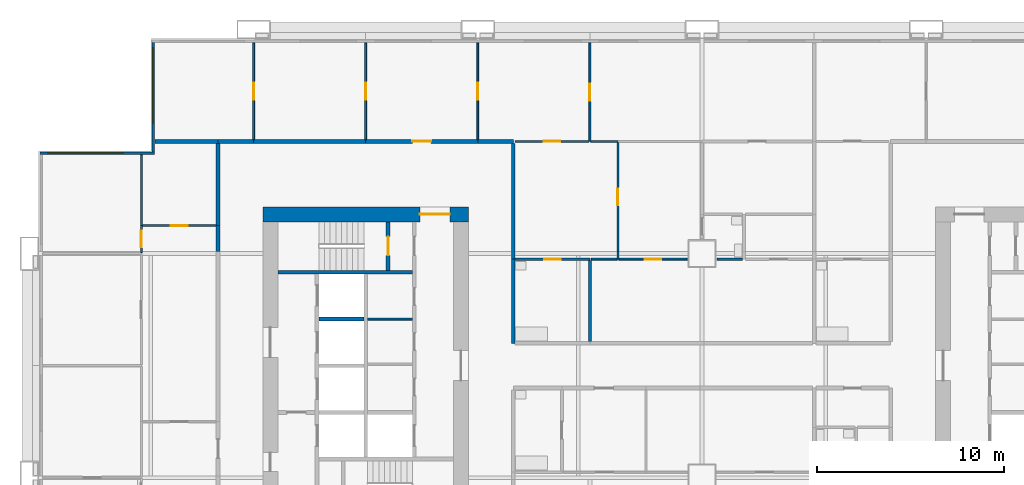
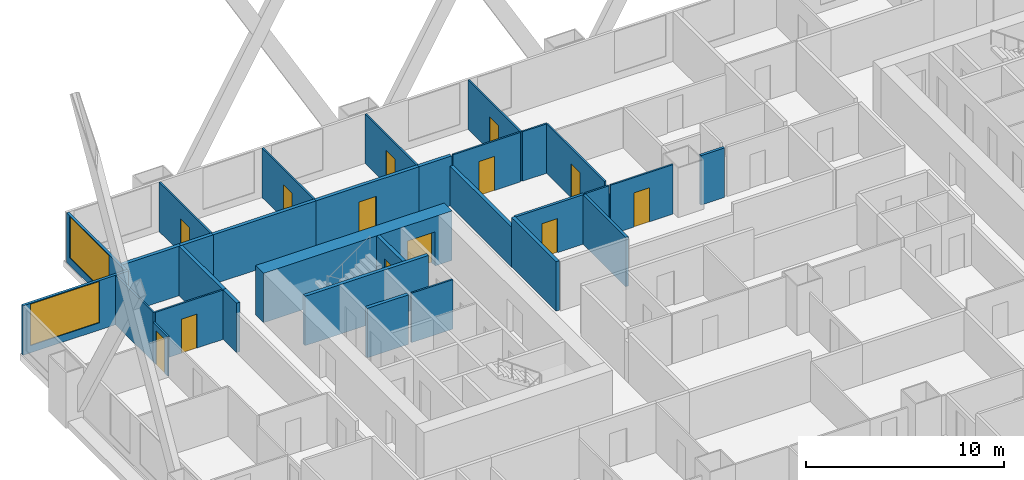
# One storey, part 8 of 13: 32 walls, 13 doors, 2 windows, 15 openings.
"""IFC4 building model written with IfcOpenShell, lengths in metres."""

from ifc_helpers import new_model, si_unit, direction, frame, frame_2d, origin, place, context, subcontext, project, spatial, rectangle, extrude, material, layer, layer_set, type_object, element, fill, save


model = new_model("IFC4")

# Units and contexts
model_context = context("Model", 3, precision=1e-05, world=origin(), true_north=direction((0.0, 1.0)))
body_context = subcontext(model_context, "Body", "Model", "MODEL_VIEW")
ifc_project = project(units=[si_unit("LENGTHUNIT", "METRE"), si_unit("AREAUNIT", "SQUARE_METRE"), si_unit("VOLUMEUNIT", "CUBIC_METRE"), si_unit("PLANEANGLEUNIT", "RADIAN"), si_unit("MASSUNIT", "GRAM", prefix="KILO")], contexts=[model_context])

# Site, building, storey
site_placement = place(None, origin())
site = spatial("IfcSite", under=ifc_project, at=site_placement, CompositionType="ELEMENT")
building_placement = place(site_placement, origin())
building = spatial("IfcBuilding", under=site, at=building_placement, Name="Kitamizu Gate Tower and Museum", CompositionType="ELEMENT")
storey_placement = place(building_placement, frame((0.0, 0.0, 50.699951171875)))
storey = spatial("IfcBuildingStorey", under=building, at=storey_placement, Name="L11", CompositionType="ELEMENT", Elevation=50.699951171875)

# Wall, opening, door
ifc_material_1 = material(Name="Concrete Fc60", Category="concrete")
ifc_layer_1 = layer(ifc_material_1, 0.800048828125)
ifc_layer_set_1 = layer_set([ifc_layer_1], Name="Concrete Fc60")
wall_type_1 = type_object("IfcWallType", Name="Core wall 800", PredefinedType="SHEAR", material=ifc_layer_set_1)
wall_1_placement = place(storey_placement, frame((12.5, 38.10009765625, 0.0), z_axis=(0.0, 0.0, 1.0), x_axis=(1.0, 0.0, 0.0)))
wall_1 = element("IfcWall", 1, at=wall_1_placement, inside=storey, type_object=wall_type_1, Name="Core wall WN", PredefinedType="SHEAR", context=body_context, shape_type="SweptSolid", body=[
    extrude(rectangle(XDim=11.0, YDim=0.800048828125, at=frame_2d((5.5, 0.0))), origin(), (0.0, 0.0, 1.0), 3.050048828125),
])
opening_1_placement = place(wall_1_placement, frame((8.39990234375, 0.0, 0.0)))
opening_1 = element("IfcOpeningElement", 2, at=opening_1_placement, cuts=wall_1, Name="Opening L11-083", PredefinedType="OPENING", context=body_context, shape_type="SweptSolid", body=[
    extrude(rectangle(XDim=1.60009765625, YDim=2.10009765625, at=frame_2d((0.800048828125, 1.050048828125))), frame((0.0, 0.41015625, 0.0), z_axis=(0.0, -1.0, 0.0), x_axis=(1.0, 0.0, 0.0)), (0.0, 0.0, 1.0), 0.820068359375),
])
ifc_material_2 = material(Name="Timber door set", Category="wood")
door_type_1 = type_object("IfcDoorType", Name="Entrance door 1600", OperationType="DOUBLE_DOOR_SINGLE_SWING", PredefinedType="DOOR", material=ifc_material_2)
door_1_placement = place(opening_1_placement, origin())
door_1 = element("IfcDoor", 3, at=door_1_placement, inside=storey, type_object=door_type_1, Name="Lobby door L11-083", OperationType="DOUBLE_DOOR_SINGLE_SWING", OverallHeight=2.10009765625, OverallWidth=1.60009765625, PredefinedType="DOOR", context=body_context, shape_type="SweptSolid", body=[
    extrude(rectangle(XDim=1.60009765625, YDim=2.10009765625, at=frame_2d((0.800048828125, 1.050048828125))), frame((0.0, 0.02490234375, 0.0), z_axis=(0.0, -1.0, 0.0), x_axis=(1.0, 0.0, 0.0)), (0.0, 0.0, 1.0), 0.050048828125),
])
fill(opening_1, door_1)

# Wall
ifc_material_3 = material(Name="Gypsum board on galvanised stud")
ifc_layer_2 = layer(ifc_material_3, 0.10009765625)
ifc_layer_set_2 = layer_set([ifc_layer_2], Name="Gypsum board on galvanised stud")
wall_type_2 = type_object("IfcWallType", Name="Partition 100", PredefinedType="PARTITIONING", material=ifc_layer_set_2)
wall_2_placement = place(storey_placement, frame((18.10009765625, 32.490966796875, 0.0), z_axis=(0.0, 0.0, 1.0), x_axis=(1.0, 0.0, 0.0)))
element("IfcWall", 4, at=wall_2_placement, inside=storey, type_object=wall_type_2, Name="Partition WPF2", PredefinedType="PARTITIONING", context=body_context, shape_type="SweptSolid", body=[
    extrude(rectangle(XDim=2.39990234375, YDim=0.10009765625, at=frame_2d((1.199951171875, 0.0))), origin(), (0.0, 0.0, 1.0), 3.050048828125),
])

# Wall, opening, door
ifc_material_4 = material(Name="Gypsum board on galvanised stud")
ifc_layer_3 = layer(ifc_material_4, 0.10009765625)
ifc_layer_set_3 = layer_set([ifc_layer_3], Name="Gypsum board on galvanised stud")
wall_type_3 = type_object("IfcWallType", Name="Partition 100 NOT RATED", PredefinedType="PARTITIONING", material=ifc_layer_set_3)
wall_3_placement = place(storey_placement, frame((12.0, 42.10009765625, 0.0), z_axis=(0.0, 0.0, 1.0), x_axis=(0.0, 1.0, 0.0)))
wall_3 = element("IfcWall", 5, at=wall_3_placement, inside=storey, type_object=wall_type_3, Name="Partition L11-119", PredefinedType="PARTITIONING", context=body_context, shape_type="SweptSolid", body=[
    extrude(rectangle(XDim=5.179931640625, YDim=0.10009765625, at=frame_2d((2.58984375, 0.0))), origin(), (0.0, 0.0, 1.0), 3.050048828125),
])
opening_2_placement = place(wall_3_placement, frame((2.139892578125, 0.0, 0.0)))
opening_2 = element("IfcOpeningElement", 6, at=opening_2_placement, cuts=wall_3, Name="Opening L11-046", PredefinedType="OPENING", context=body_context, shape_type="SweptSolid", body=[
    extrude(rectangle(XDim=0.89990234375, YDim=2.10009765625, at=frame_2d((0.449951171875, 1.050048828125))), frame((0.0, 0.06005859375, 0.0), z_axis=(0.0, -1.0, 0.0), x_axis=(1.0, 0.0, 0.0)), (0.0, 0.0, 1.0), 0.1201171875),
])
ifc_material_5 = material(Name="Timber door set", Category="wood")
door_type_2 = type_object("IfcDoorType", Name="Room door 900", OperationType="NOTDEFINED", PredefinedType="DOOR", material=ifc_material_5)
door_2_placement = place(opening_2_placement, origin())
door_2 = element("IfcDoor", 7, at=door_2_placement, inside=storey, type_object=door_type_2, Name="Door L11-046", OperationType="SINGLE_SWING_LEFT", OverallHeight=2.10009765625, OverallWidth=0.89990234375, PredefinedType="DOOR", context=body_context, shape_type="SweptSolid", body=[
    extrude(rectangle(XDim=0.89990234375, YDim=2.10009765625, at=frame_2d((0.449951171875, 1.050048828125))), frame((0.0, 0.02490234375, 0.0), z_axis=(0.0, -1.0, 0.0), x_axis=(1.0, 0.0, 0.0)), (0.0, 0.0, 1.0), 0.050048828125),
])
fill(opening_2, door_2)

wall_4_placement = place(storey_placement, frame((18.0, 42.10009765625, 0.0), z_axis=(0.0, 0.0, 1.0), x_axis=(0.0, 1.0, 0.0)))
wall_4 = element("IfcWall", 8, at=wall_4_placement, inside=storey, type_object=wall_type_3, Name="Partition L11-122", PredefinedType="PARTITIONING", context=body_context, shape_type="SweptSolid", body=[
    extrude(rectangle(XDim=5.179931640625, YDim=0.10009765625, at=frame_2d((2.58984375, 0.0))), origin(), (0.0, 0.0, 1.0), 3.050048828125),
])
opening_3_placement = place(wall_4_placement, frame((2.139892578125, 0.0, 0.0)))
opening_3 = element("IfcOpeningElement", 9, at=opening_3_placement, cuts=wall_4, Name="Opening L11-044", PredefinedType="OPENING", context=body_context, shape_type="SweptSolid", body=[
    extrude(rectangle(XDim=0.89990234375, YDim=2.10009765625, at=frame_2d((0.449951171875, 1.050048828125))), frame((0.0, 0.06005859375, 0.0), z_axis=(0.0, -1.0, 0.0), x_axis=(1.0, 0.0, 0.0)), (0.0, 0.0, 1.0), 0.1201171875),
])
door_3_placement = place(opening_3_placement, origin())
door_3 = element("IfcDoor", 10, at=door_3_placement, inside=storey, type_object=door_type_2, Name="Door L11-044", OperationType="SINGLE_SWING_LEFT", OverallHeight=2.10009765625, OverallWidth=0.89990234375, PredefinedType="DOOR", context=body_context, shape_type="SweptSolid", body=[
    extrude(rectangle(XDim=0.89990234375, YDim=2.10009765625, at=frame_2d((0.449951171875, 1.050048828125))), frame((0.0, 0.02490234375, 0.0), z_axis=(0.0, -1.0, 0.0), x_axis=(1.0, 0.0, 0.0)), (0.0, 0.0, 1.0), 0.050048828125),
])
fill(opening_3, door_3)

wall_5_placement = place(storey_placement, frame((24.0, 42.10009765625, 0.0), z_axis=(0.0, 0.0, 1.0), x_axis=(0.0, 1.0, 0.0)))
wall_5 = element("IfcWall", 11, at=wall_5_placement, inside=storey, type_object=wall_type_3, Name="Partition L11-124", PredefinedType="PARTITIONING", context=body_context, shape_type="SweptSolid", body=[
    extrude(rectangle(XDim=5.179931640625, YDim=0.10009765625, at=frame_2d((2.58984375, 0.0))), origin(), (0.0, 0.0, 1.0), 3.050048828125),
])
opening_4_placement = place(wall_5_placement, frame((2.139892578125, 0.0, 0.0)))
opening_4 = element("IfcOpeningElement", 12, at=opening_4_placement, cuts=wall_5, Name="Opening L11-045", PredefinedType="OPENING", context=body_context, shape_type="SweptSolid", body=[
    extrude(rectangle(XDim=0.89990234375, YDim=2.10009765625, at=frame_2d((0.449951171875, 1.050048828125))), frame((0.0, 0.06005859375, 0.0), z_axis=(0.0, -1.0, 0.0), x_axis=(1.0, 0.0, 0.0)), (0.0, 0.0, 1.0), 0.1201171875),
])
door_4_placement = place(opening_4_placement, frame((0.89990234375, 0.0, 0.0), x_axis=(-1.0, 0.0, 0.0)))
door_4 = element("IfcDoor", 13, at=door_4_placement, inside=storey, type_object=door_type_2, Name="Door L11-045", OperationType="SINGLE_SWING_LEFT", OverallHeight=2.10009765625, OverallWidth=0.89990234375, PredefinedType="DOOR", context=body_context, shape_type="SweptSolid", body=[
    extrude(rectangle(XDim=0.89990234375, YDim=2.10009765625, at=frame_2d((0.449951171875, 1.050048828125))), frame((0.0, 0.02490234375, 0.0), z_axis=(0.0, -1.0, 0.0), x_axis=(1.0, 0.0, 0.0)), (0.0, 0.0, 1.0), 0.050048828125),
])
fill(opening_4, door_4)

wall_6_placement = place(storey_placement, frame((30.0, 42.0, 0.0), z_axis=(0.0, 0.0, 1.0), x_axis=(0.0, 1.0, 0.0)))
wall_6 = element("IfcWall", 14, at=wall_6_placement, inside=storey, type_object=wall_type_3, Name="Partition L11-126", PredefinedType="PARTITIONING", context=body_context, shape_type="SweptSolid", body=[
    extrude(rectangle(XDim=5.280029296875, YDim=0.10009765625, at=frame_2d((2.64013671875, 0.0))), origin(), (0.0, 0.0, 1.0), 3.050048828125),
])
opening_5_placement = place(wall_6_placement, frame((2.18994140625, 0.0, 0.0)))
opening_5 = element("IfcOpeningElement", 15, at=opening_5_placement, cuts=wall_6, Name="Opening L11-047", PredefinedType="OPENING", context=body_context, shape_type="SweptSolid", body=[
    extrude(rectangle(XDim=0.89990234375, YDim=2.10009765625, at=frame_2d((0.449951171875, 1.050048828125))), frame((0.0, 0.06005859375, 0.0), z_axis=(0.0, -1.0, 0.0), x_axis=(1.0, 0.0, 0.0)), (0.0, 0.0, 1.0), 0.1201171875),
])
door_5_placement = place(opening_5_placement, origin())
door_5 = element("IfcDoor", 16, at=door_5_placement, inside=storey, type_object=door_type_2, Name="Door L11-047", OperationType="SINGLE_SWING_RIGHT", OverallHeight=2.10009765625, OverallWidth=0.89990234375, PredefinedType="DOOR", context=body_context, shape_type="SweptSolid", body=[
    extrude(rectangle(XDim=0.89990234375, YDim=2.10009765625, at=frame_2d((0.449951171875, 1.050048828125))), frame((0.0, 0.02490234375, 0.0), z_axis=(0.0, -1.0, 0.0), x_axis=(1.0, 0.0, 0.0)), (0.0, 0.0, 1.0), 0.050048828125),
])
fill(opening_5, door_5)

wall_7_placement = place(storey_placement, frame((26.0, 42.0, 0.0), z_axis=(0.0, 0.0, 1.0), x_axis=(1.0, 0.0, 0.0)))
wall_7 = element("IfcWall", 17, at=wall_7_placement, inside=storey, type_object=wall_type_3, Name="Partition L11-127", PredefinedType="PARTITIONING", context=body_context, shape_type="SweptSolid", body=[
    extrude(rectangle(XDim=3.949951171875, YDim=0.10009765625, at=frame_2d((1.97509765625, 0.0))), origin(), (0.0, 0.0, 1.0), 3.050048828125),
])
opening_6_placement = place(wall_7_placement, frame((1.52490234375, 0.0, 0.0)))
opening_6 = element("IfcOpeningElement", 18, at=opening_6_placement, cuts=wall_7, Name="Opening L11-048", PredefinedType="OPENING", context=body_context, shape_type="SweptSolid", body=[
    extrude(rectangle(XDim=0.89990234375, YDim=2.10009765625, at=frame_2d((0.449951171875, 1.050048828125))), frame((0.0, 0.06005859375, 0.0), z_axis=(0.0, -1.0, 0.0), x_axis=(1.0, 0.0, 0.0)), (0.0, 0.0, 1.0), 0.1201171875),
])
door_6_placement = place(opening_6_placement, origin())
door_6 = element("IfcDoor", 19, at=door_6_placement, inside=storey, type_object=door_type_2, Name="Door L11-048", OperationType="SINGLE_SWING_LEFT", OverallHeight=2.10009765625, OverallWidth=0.89990234375, PredefinedType="DOOR", context=body_context, shape_type="SweptSolid", body=[
    extrude(rectangle(XDim=0.89990234375, YDim=2.10009765625, at=frame_2d((0.449951171875, 1.050048828125))), frame((0.0, 0.02490234375, 0.0), z_axis=(0.0, -1.0, 0.0), x_axis=(1.0, 0.0, 0.0)), (0.0, 0.0, 1.0), 0.050048828125),
])
fill(opening_6, door_6)

# Walls
wall_8_placement = place(storey_placement, frame((30.050048828125, 42.0, 0.0), z_axis=(0.0, 0.0, 1.0), x_axis=(1.0, 0.0, 0.0)))
element("IfcWall", 20, at=wall_8_placement, inside=storey, type_object=wall_type_3, Name="Partition L11-129", PredefinedType="PARTITIONING", context=body_context, shape_type="SweptSolid", body=[
    extrude(rectangle(XDim=1.449951171875, YDim=0.10009765625, at=frame_2d((0.72509765625, 0.0))), origin(), (0.0, 0.0, 1.0), 3.050048828125),
])
wall_9_placement = place(storey_placement, frame((31.5, 35.699951171875, 0.0), z_axis=(0.0, 0.0, 1.0), x_axis=(0.0, 1.0, 0.0)))
element("IfcWall", 21, at=wall_9_placement, inside=storey, type_object=wall_type_3, Name="Partition L11-133", PredefinedType="PARTITIONING", context=body_context, shape_type="SweptSolid", body=[
    extrude(rectangle(XDim=0.400146484375, YDim=0.10009765625, at=frame_2d((0.2001953125, 0.0))), origin(), (0.0, 0.0, 1.0), 2.449951171875),
])

# Wall, opening, door
wall_10_placement = place(storey_placement, frame((31.5, 36.10009765625, 0.0), z_axis=(0.0, 0.0, 1.0), x_axis=(0.0, 1.0, 0.0)))
wall_10 = element("IfcWall", 22, at=wall_10_placement, inside=storey, type_object=wall_type_3, Name="Partition L11-134", PredefinedType="PARTITIONING", context=body_context, shape_type="SweptSolid", body=[
    extrude(rectangle(XDim=5.849853515625, YDim=0.10009765625, at=frame_2d((2.9248046875, 0.0))), origin(), (0.0, 0.0, 1.0), 3.050048828125),
])
opening_7_placement = place(wall_10_placement, frame((2.47509765625, 0.0, 0.0)))
opening_7 = element("IfcOpeningElement", 23, at=opening_7_placement, cuts=wall_10, Name="Opening L11-049", PredefinedType="OPENING", context=body_context, shape_type="SweptSolid", body=[
    extrude(rectangle(XDim=0.89990234375, YDim=2.10009765625, at=frame_2d((0.449951171875, 1.050048828125))), frame((0.0, 0.06005859375, 0.0), z_axis=(0.0, -1.0, 0.0), x_axis=(1.0, 0.0, 0.0)), (0.0, 0.0, 1.0), 0.1201171875),
])
door_7_placement = place(opening_7_placement, frame((0.89990234375, 0.0, 0.0), x_axis=(-1.0, 0.0, 0.0)))
door_7 = element("IfcDoor", 24, at=door_7_placement, inside=storey, type_object=door_type_2, Name="Door L11-049", OperationType="SINGLE_SWING_LEFT", OverallHeight=2.10009765625, OverallWidth=0.89990234375, PredefinedType="DOOR", context=body_context, shape_type="SweptSolid", body=[
    extrude(rectangle(XDim=0.89990234375, YDim=2.10009765625, at=frame_2d((0.449951171875, 1.050048828125))), frame((0.0, 0.02490234375, 0.0), z_axis=(0.0, -1.0, 0.0), x_axis=(1.0, 0.0, 0.0)), (0.0, 0.0, 1.0), 0.050048828125),
])
fill(opening_7, door_7)

# Wall
wall_11_placement = place(storey_placement, frame((30.074951171875, 35.699951171875, 0.0), z_axis=(0.0, 0.0, 1.0), x_axis=(1.0, 0.0, 0.0)))
element("IfcWall", 25, at=wall_11_placement, inside=storey, type_object=wall_type_3, Name="Partition L11-136", PredefinedType="PARTITIONING", context=body_context, shape_type="SweptSolid", body=[
    extrude(rectangle(XDim=1.375, YDim=0.10009765625, at=frame_2d((0.6875, 0.0))), origin(), (0.0, 0.0, 1.0), 3.050048828125),
])

# Wall, opening, door
wall_12_placement = place(storey_placement, frame((31.550048828125, 35.699951171875, 0.0), z_axis=(0.0, 0.0, 1.0), x_axis=(1.0, 0.0, 0.0)))
wall_12 = element("IfcWall", 26, at=wall_12_placement, inside=storey, type_object=wall_type_3, Name="Partition L11-140", PredefinedType="PARTITIONING", context=body_context, shape_type="SweptSolid", body=[
    extrude(rectangle(XDim=3.64990234375, YDim=0.10009765625, at=frame_2d((1.824951171875, 0.0))), origin(), (0.0, 0.0, 1.0), 3.050048828125),
])
opening_8_placement = place(wall_12_placement, frame((1.375, 0.0, 0.0)))
opening_8 = element("IfcOpeningElement", 27, at=opening_8_placement, cuts=wall_12, Name="Opening L11-053", PredefinedType="OPENING", context=body_context, shape_type="SweptSolid", body=[
    extrude(rectangle(XDim=0.89990234375, YDim=2.10009765625, at=frame_2d((0.449951171875, 1.050048828125))), frame((0.0, 0.06005859375, 0.0), z_axis=(0.0, -1.0, 0.0), x_axis=(1.0, 0.0, 0.0)), (0.0, 0.0, 1.0), 0.1201171875),
])
door_8_placement = place(opening_8_placement, origin())
door_8 = element("IfcDoor", 28, at=door_8_placement, inside=storey, type_object=door_type_2, Name="Door L11-053", OperationType="SINGLE_SWING_RIGHT", OverallHeight=2.10009765625, OverallWidth=0.89990234375, PredefinedType="DOOR", context=body_context, shape_type="SweptSolid", body=[
    extrude(rectangle(XDim=0.89990234375, YDim=2.10009765625, at=frame_2d((0.449951171875, 1.050048828125))), frame((0.0, 0.02490234375, 0.0), z_axis=(0.0, -1.0, 0.0), x_axis=(1.0, 0.0, 0.0)), (0.0, 0.0, 1.0), 0.050048828125),
])
fill(opening_8, door_8)

wall_13_placement = place(storey_placement, frame((6.0, 36.050048828125, 0.0), z_axis=(0.0, 0.0, 1.0), x_axis=(0.0, 1.0, 0.0)))
wall_13 = element("IfcWall", 29, at=wall_13_placement, inside=storey, type_object=wall_type_3, Name="Partition L11-164", PredefinedType="PARTITIONING", context=body_context, shape_type="SweptSolid", body=[
    extrude(rectangle(XDim=1.449951171875, YDim=0.10009765625, at=frame_2d((0.72509765625, 0.0))), origin(), (0.0, 0.0, 1.0), 2.449951171875),
])
opening_9_placement = place(wall_13_placement, frame((0.27490234375, 0.0, 0.0)))
opening_9 = element("IfcOpeningElement", 30, at=opening_9_placement, cuts=wall_13, Name="Opening L11-059", PredefinedType="OPENING", context=body_context, shape_type="SweptSolid", body=[
    extrude(rectangle(XDim=0.89990234375, YDim=2.10009765625, at=frame_2d((0.449951171875, 1.050048828125))), frame((0.0, 0.06005859375, 0.0), z_axis=(0.0, -1.0, 0.0), x_axis=(1.0, 0.0, 0.0)), (0.0, 0.0, 1.0), 0.1201171875),
])
door_9_placement = place(opening_9_placement, origin())
door_9 = element("IfcDoor", 31, at=door_9_placement, inside=storey, type_object=door_type_2, Name="Door L11-059", OperationType="SINGLE_SWING_RIGHT", OverallHeight=2.10009765625, OverallWidth=0.89990234375, PredefinedType="DOOR", context=body_context, shape_type="SweptSolid", body=[
    extrude(rectangle(XDim=0.89990234375, YDim=2.10009765625, at=frame_2d((0.449951171875, 1.050048828125))), frame((0.0, 0.02490234375, 0.0), z_axis=(0.0, -1.0, 0.0), x_axis=(1.0, 0.0, 0.0)), (0.0, 0.0, 1.0), 0.050048828125),
])
fill(opening_9, door_9)

# Wall
wall_14_placement = place(storey_placement, frame((6.0, 37.5, 0.0), z_axis=(0.0, 0.0, 1.0), x_axis=(0.0, 1.0, 0.0)))
element("IfcWall", 32, at=wall_14_placement, inside=storey, type_object=wall_type_3, Name="Partition L11-165", PredefinedType="PARTITIONING", context=body_context, shape_type="SweptSolid", body=[
    extrude(rectangle(XDim=3.780029296875, YDim=0.10009765625, at=frame_2d((1.89013671875, 0.0))), origin(), (0.0, 0.0, 1.0), 3.050048828125),
])

# Wall, opening, door
wall_15_placement = place(storey_placement, frame((10.0, 37.5, 0.0), z_axis=(0.0, 0.0, 1.0), x_axis=(-1.0, 0.0, 0.0)))
wall_15 = element("IfcWall", 33, at=wall_15_placement, inside=storey, type_object=wall_type_3, Name="Partition L11-171", PredefinedType="PARTITIONING", context=body_context, shape_type="SweptSolid", body=[
    extrude(rectangle(XDim=3.949951171875, YDim=0.10009765625, at=frame_2d((1.97509765625, 0.0))), origin(), (0.0, 0.0, 1.0), 3.050048828125),
])
opening_10_placement = place(wall_15_placement, frame((1.52490234375, 0.0, 0.0)))
opening_10 = element("IfcOpeningElement", 34, at=opening_10_placement, cuts=wall_15, Name="Opening L11-062", PredefinedType="OPENING", context=body_context, shape_type="SweptSolid", body=[
    extrude(rectangle(XDim=0.89990234375, YDim=2.10009765625, at=frame_2d((0.449951171875, 1.050048828125))), frame((0.0, 0.06005859375, 0.0), z_axis=(0.0, -1.0, 0.0), x_axis=(1.0, 0.0, 0.0)), (0.0, 0.0, 1.0), 0.1201171875),
])
door_10_placement = place(opening_10_placement, frame((0.89990234375, 0.0, 0.0), x_axis=(-1.0, 0.0, 0.0)))
door_10 = element("IfcDoor", 35, at=door_10_placement, inside=storey, type_object=door_type_2, Name="Door L11-062", OperationType="SINGLE_SWING_LEFT", OverallHeight=2.10009765625, OverallWidth=0.89990234375, PredefinedType="DOOR", context=body_context, shape_type="SweptSolid", body=[
    extrude(rectangle(XDim=0.89990234375, YDim=2.10009765625, at=frame_2d((0.449951171875, 1.050048828125))), frame((0.0, 0.02490234375, 0.0), z_axis=(0.0, -1.0, 0.0), x_axis=(1.0, 0.0, 0.0)), (0.0, 0.0, 1.0), 0.050048828125),
])
fill(opening_10, door_10)

ifc_material_6 = material(Name="Gypsum board on galvanised stud")
ifc_layer_4 = layer(ifc_material_6, 0.14990234375)
ifc_layer_set_4 = layer_set([ifc_layer_4], Name="Gypsum board on galvanised stud")
wall_type_4 = type_object("IfcWallType", Name="Partition 150", PredefinedType="PARTITIONING", material=ifc_layer_set_4)
wall_16_placement = place(storey_placement, frame((26.0, 35.699951171875, 0.0), z_axis=(0.0, 0.0, 1.0), x_axis=(1.0, 0.0, 0.0)))
wall_16 = element("IfcWall", 36, at=wall_16_placement, inside=storey, type_object=wall_type_4, Name="Partition L11-135", PredefinedType="PARTITIONING", context=body_context, shape_type="SweptSolid", body=[
    extrude(rectangle(XDim=4.0, YDim=0.14990234375, at=frame_2d((2.0, 0.0))), origin(), (0.0, 0.0, 1.0), 3.050048828125),
])
opening_11_placement = place(wall_16_placement, frame((1.550048828125, 0.0, 0.0)))
opening_11 = element("IfcOpeningElement", 37, at=opening_11_placement, cuts=wall_16, Name="Opening L11-052", PredefinedType="OPENING", context=body_context, shape_type="SweptSolid", body=[
    extrude(rectangle(XDim=0.89990234375, YDim=2.10009765625, at=frame_2d((0.449951171875, 1.050048828125))), frame((0.0, 0.0849609375, 0.0), z_axis=(0.0, -1.0, 0.0), x_axis=(1.0, 0.0, 0.0)), (0.0, 0.0, 1.0), 0.169921875),
])
ifc_material_7 = material(Name="Timber door set", Category="wood")
door_type_3 = type_object("IfcDoorType", Name="Bathroom door 900", OperationType="NOTDEFINED", PredefinedType="DOOR", material=ifc_material_7)
door_11_placement = place(opening_11_placement, frame((0.89990234375, 0.0, 0.0), x_axis=(-1.0, 0.0, 0.0)))
door_11 = element("IfcDoor", 38, at=door_11_placement, inside=storey, type_object=door_type_3, Name="Bathroom door L11-052", OperationType="SINGLE_SWING_RIGHT", OverallHeight=2.10009765625, OverallWidth=0.89990234375, PredefinedType="DOOR", context=body_context, shape_type="SweptSolid", body=[
    extrude(rectangle(XDim=0.89990234375, YDim=2.10009765625, at=frame_2d((0.449951171875, 1.050048828125))), frame((0.0, 0.02490234375, 0.0), z_axis=(0.0, -1.0, 0.0), x_axis=(1.0, 0.0, 0.0)), (0.0, 0.0, 1.0), 0.050048828125),
])
fill(opening_11, door_11)

# Walls
wall_17_placement = place(storey_placement, frame((36.800048828125, 35.699951171875, 0.0), z_axis=(0.0, 0.0, 1.0), x_axis=(1.0, 0.0, 0.0)))
element("IfcWall", 39, at=wall_17_placement, inside=storey, type_object=wall_type_4, Name="Partition L11-144", PredefinedType="PARTITIONING", context=body_context, shape_type="SweptSolid", body=[
    extrude(rectangle(XDim=1.375, YDim=0.14990234375, at=frame_2d((0.6875, 0.0))), origin(), (0.0, 0.0, 1.0), 3.050048828125),
])
wall_18_placement = place(storey_placement, frame((30.0, 31.300048828125, 0.0), z_axis=(0.0, 0.0, 1.0), x_axis=(0.0, 1.0, 0.0)))
element("IfcWall", 40, at=wall_18_placement, inside=storey, type_object=wall_type_4, Name="Partition L11-150", PredefinedType="PARTITIONING", context=body_context, shape_type="SweptSolid", body=[
    extrude(rectangle(XDim=4.324951171875, YDim=0.14990234375, at=frame_2d((2.16259765625, 0.0))), origin(), (0.0, 0.0, 1.0), 3.050048828125),
])
ifc_material_8 = material(Name="Gypsum board on galvanised stud")
ifc_layer_5 = layer(ifc_material_8, 0.199951171875)
ifc_layer_set_5 = layer_set([ifc_layer_5], Name="Gypsum board on galvanised stud")
wall_type_5 = type_object("IfcWallType", Name="Partition 200", PredefinedType="PARTITIONING", material=ifc_layer_set_5)
wall_19_placement = place(storey_placement, frame((6.719970703125, 42.0, 0.0), z_axis=(0.0, 0.0, 1.0), x_axis=(1.0, 0.0, 0.0)))
element("IfcWall", 41, at=wall_19_placement, inside=storey, type_object=wall_type_5, Name="Partition L11-120", PredefinedType="PARTITIONING", context=body_context, shape_type="SweptSolid", body=[
    extrude(rectangle(XDim=3.380126953125, YDim=0.199951171875, at=frame_2d((1.68994140625, 0.0))), origin(), (0.0, 0.0, 1.0), 3.050048828125),
])
wall_20_placement = place(storey_placement, frame((10.10009765625, 42.0, 0.0), z_axis=(0.0, 0.0, 1.0), x_axis=(1.0, 0.0, 0.0)))
element("IfcWall", 42, at=wall_20_placement, inside=storey, type_object=wall_type_5, Name="Partition L11-121", PredefinedType="PARTITIONING", context=body_context, shape_type="SweptSolid", body=[
    extrude(rectangle(XDim=1.89990234375, YDim=0.199951171875, at=frame_2d((0.949951171875, 0.0))), origin(), (0.0, 0.0, 1.0), 3.050048828125),
])
wall_21_placement = place(storey_placement, frame((12.0, 42.0, 0.0), z_axis=(0.0, 0.0, 1.0), x_axis=(1.0, 0.0, 0.0)))
element("IfcWall", 43, at=wall_21_placement, inside=storey, type_object=wall_type_5, Name="Partition L11-123", PredefinedType="PARTITIONING", context=body_context, shape_type="SweptSolid", body=[
    extrude(rectangle(XDim=6.0, YDim=0.199951171875, at=frame_2d((3.0, 0.0))), origin(), (0.0, 0.0, 1.0), 3.050048828125),
])

# Wall, opening, door
wall_22_placement = place(storey_placement, frame((18.0, 42.0, 0.0), z_axis=(0.0, 0.0, 1.0), x_axis=(1.0, 0.0, 0.0)))
wall_22 = element("IfcWall", 44, at=wall_22_placement, inside=storey, type_object=wall_type_5, Name="Partition L11-125", PredefinedType="PARTITIONING", context=body_context, shape_type="SweptSolid", body=[
    extrude(rectangle(XDim=6.0, YDim=0.199951171875, at=frame_2d((3.0, 0.0))), origin(), (0.0, 0.0, 1.0), 3.050048828125),
])
opening_12_placement = place(wall_22_placement, frame((2.5, 0.0, 0.0)))
opening_12 = element("IfcOpeningElement", 45, at=opening_12_placement, cuts=wall_22, Name="Opening L11-043", PredefinedType="OPENING", context=body_context, shape_type="SweptSolid", body=[
    extrude(rectangle(XDim=1.0, YDim=2.10009765625, at=frame_2d((0.5, 1.050048828125))), frame((0.0, 0.10986328125, 0.0), z_axis=(0.0, -1.0, 0.0), x_axis=(1.0, 0.0, 0.0)), (0.0, 0.0, 1.0), 0.219970703125),
])
ifc_material_9 = material(Name="Timber door set", Category="wood")
door_type_4 = type_object("IfcDoorType", Name="Flat entrance door 1000", OperationType="NOTDEFINED", PredefinedType="DOOR", material=ifc_material_9)
door_12_placement = place(opening_12_placement, origin())
door_12 = element("IfcDoor", 46, at=door_12_placement, inside=storey, type_object=door_type_4, Name="Flat entrance door L11-043", OperationType="SINGLE_SWING_RIGHT", OverallHeight=2.10009765625, OverallWidth=1.0, PredefinedType="DOOR", context=body_context, shape_type="SweptSolid", body=[
    extrude(rectangle(XDim=1.0, YDim=2.10009765625, at=frame_2d((0.5, 1.050048828125))), frame((0.0, 0.02490234375, 0.0), z_axis=(0.0, -1.0, 0.0), x_axis=(1.0, 0.0, 0.0)), (0.0, 0.0, 1.0), 0.050048828125),
])
fill(opening_12, door_12)

# Walls
wall_23_placement = place(storey_placement, frame((24.0, 42.0, 0.0), z_axis=(0.0, 0.0, 1.0), x_axis=(1.0, 0.0, 0.0)))
element("IfcWall", 47, at=wall_23_placement, inside=storey, type_object=wall_type_5, Name="Partition L11-128", PredefinedType="PARTITIONING", context=body_context, shape_type="SweptSolid", body=[
    extrude(rectangle(XDim=1.89990234375, YDim=0.199951171875, at=frame_2d((0.949951171875, 0.0))), origin(), (0.0, 0.0, 1.0), 3.050048828125),
])
wall_24_placement = place(storey_placement, frame((25.89990234375, 41.89990234375, 0.0), z_axis=(0.0, 0.0, 1.0), x_axis=(0.0, -1.0, 0.0)))
element("IfcWall", 48, at=wall_24_placement, inside=storey, type_object=wall_type_5, Name="Partition L11-137", PredefinedType="PARTITIONING", context=body_context, shape_type="SweptSolid", body=[
    extrude(rectangle(XDim=6.199951171875, YDim=0.199951171875, at=frame_2d((3.10009765625, 0.0))), origin(), (0.0, 0.0, 1.0), 2.449951171875),
])
wall_25_placement = place(storey_placement, frame((25.89990234375, 35.699951171875, 0.0), z_axis=(0.0, 0.0, 1.0), x_axis=(0.0, -1.0, 0.0)))
element("IfcWall", 49, at=wall_25_placement, inside=storey, type_object=wall_type_5, Name="Partition L11-151", PredefinedType="PARTITIONING", context=body_context, shape_type="SweptSolid", body=[
    extrude(rectangle(XDim=4.5, YDim=0.199951171875, at=frame_2d((2.25, 0.0))), origin(), (0.0, 0.0, 1.0), 3.050048828125),
])
wall_26_placement = place(storey_placement, frame((10.10009765625, 36.10009765625, 0.0), z_axis=(0.0, 0.0, 1.0), x_axis=(0.0, 1.0, 0.0)))
element("IfcWall", 50, at=wall_26_placement, inside=storey, type_object=wall_type_5, Name="Partition L11-173", PredefinedType="PARTITIONING", context=body_context, shape_type="SweptSolid", body=[
    extrude(rectangle(XDim=1.39990234375, YDim=0.199951171875, at=frame_2d((0.699951171875, 0.0))), origin(), (0.0, 0.0, 1.0), 3.050048828125),
])
wall_27_placement = place(storey_placement, frame((10.10009765625, 37.5, 0.0), z_axis=(0.0, 0.0, 1.0), x_axis=(0.0, 1.0, 0.0)))
element("IfcWall", 51, at=wall_27_placement, inside=storey, type_object=wall_type_5, Name="Partition L11-174", PredefinedType="PARTITIONING", context=body_context, shape_type="SweptSolid", body=[
    extrude(rectangle(XDim=4.39990234375, YDim=0.199951171875, at=frame_2d((2.199951171875, 0.0))), origin(), (0.0, 0.0, 1.0), 3.050048828125),
])
ifc_material_10 = material(Name="Concrete Fc42", Category="concrete")
ifc_layer_6 = layer(ifc_material_10, 0.199951171875)
ifc_layer_set_6 = layer_set([ifc_layer_6], Name="Concrete Fc42")
wall_type_6 = type_object("IfcWallType", Name="Shaft wall 200", PredefinedType="SOLIDWALL", material=ifc_layer_set_6)
wall_28_placement = place(storey_placement, frame((13.300048828125, 35.0, 0.0), z_axis=(0.0, 0.0, 1.0), x_axis=(1.0, 0.0, 0.0)))
element("IfcWall", 52, at=wall_28_placement, inside=storey, type_object=wall_type_6, Name="Shaft wall WNB", PredefinedType="SOLIDWALL", context=body_context, shape_type="SweptSolid", body=[
    extrude(rectangle(XDim=7.199951171875, YDim=0.199951171875, at=frame_2d((3.60009765625, 0.0))), origin(), (0.0, 0.0, 1.0), 3.050048828125),
])

# Wall, opening, door
wall_29_placement = place(storey_placement, frame((19.199951171875, 35.10009765625, 0.0), z_axis=(0.0, 0.0, 1.0), x_axis=(0.0, 1.0, 0.0)))
wall_29 = element("IfcWall", 53, at=wall_29_placement, inside=storey, type_object=wall_type_6, Name="Shaft wall WNZ", PredefinedType="SOLIDWALL", context=body_context, shape_type="SweptSolid", body=[
    extrude(rectangle(XDim=2.599853515625, YDim=0.199951171875, at=frame_2d((1.2998046875, 0.0))), origin(), (0.0, 0.0, 1.0), 3.050048828125),
])
opening_13_placement = place(wall_29_placement, frame((0.800048828125, 0.0, 0.0)))
opening_13 = element("IfcOpeningElement", 54, at=opening_13_placement, cuts=wall_29, Name="Opening L11-079", PredefinedType="OPENING", context=body_context, shape_type="SweptSolid", body=[
    extrude(rectangle(XDim=1.0, YDim=2.10009765625, at=frame_2d((0.5, 1.050048828125))), frame((0.0, 0.10986328125, 0.0), z_axis=(0.0, -1.0, 0.0), x_axis=(1.0, 0.0, 0.0)), (0.0, 0.0, 1.0), 0.219970703125),
])
ifc_material_11 = material(Name="Hollow metal door set")
door_type_5 = type_object("IfcDoorType", Name="Fire door 1000", OperationType="NOTDEFINED", PredefinedType="DOOR", material=ifc_material_11)
door_13_placement = place(opening_13_placement, origin())
door_13 = element("IfcDoor", 55, at=door_13_placement, inside=storey, type_object=door_type_5, Name="Stair door L11-079", OperationType="SINGLE_SWING_LEFT", OverallHeight=2.10009765625, OverallWidth=1.0, PredefinedType="DOOR", context=body_context, shape_type="SweptSolid", body=[
    extrude(rectangle(XDim=1.0, YDim=2.10009765625, at=frame_2d((0.5, 1.050048828125))), frame((0.0, 0.02490234375, 0.0), z_axis=(0.0, -1.0, 0.0), x_axis=(1.0, 0.0, 0.0)), (0.0, 0.0, 1.0), 0.050048828125),
])
fill(opening_13, door_13)

# Wall
wall_30_placement = place(storey_placement, frame((15.5, 32.5, 0.0), z_axis=(0.0, 0.0, 1.0), x_axis=(1.0, 0.0, 0.0)))
element("IfcWall", 56, at=wall_30_placement, inside=storey, type_object=wall_type_6, Name="Shaft wall WDVW2", PredefinedType="SOLIDWALL", context=body_context, shape_type="SweptSolid", body=[
    extrude(rectangle(XDim=2.39990234375, YDim=0.199951171875, at=frame_2d((1.199951171875, 0.0))), origin(), (0.0, 0.0, 1.0), 3.050048828125),
])

# Wall, opening, window
ifc_material_12 = material(Name="Bronze anodised aluminium frame with insulated spandrel and tinted glass", Category="aluminium")
ifc_layer_7 = layer(ifc_material_12, 0.14990234375)
ifc_layer_set_7 = layer_set([ifc_layer_7], Name="Bronze anodised aluminium frame with insulated spandrel and tinted glass")
wall_type_7 = type_object("IfcWallType", Name="WINDOW WALL 150 BRONZE FRAME EI 30", PredefinedType="ELEMENTEDWALL", material=ifc_layer_set_7)
wall_31_placement = place(storey_placement, frame((6.635009765625, 41.43994140625, 0.0), z_axis=(0.0, 0.0, 1.0), x_axis=(0.0, 1.0, 0.0)))
wall_31 = element("IfcWall", 57, at=wall_31_placement, inside=storey, type_object=wall_type_7, Name="Window wall west L11", PredefinedType="ELEMENTEDWALL", context=body_context, shape_type="SweptSolid", body=[
    extrude(rectangle(XDim=5.85009765625, YDim=0.14990234375, at=frame_2d((2.925048828125, 0.0))), origin(), (0.0, 0.0, 1.0), 3.050048828125),
])
opening_14_placement = place(wall_31_placement, frame((1.56005859375, 0.0, 0.449951171875)))
opening_14 = element("IfcOpeningElement", 58, at=opening_14_placement, cuts=wall_31, Name="Opening W16", PredefinedType="OPENING", context=body_context, shape_type="SweptSolid", body=[
    extrude(rectangle(XDim=4.0, YDim=2.550048828125, at=frame_2d((2.0, 1.27490234375))), frame((0.0, 0.0849609375, 0.0), z_axis=(0.0, -1.0, 0.0), x_axis=(1.0, 0.0, 0.0)), (0.0, 0.0, 1.0), 0.169921875),
])
ifc_material_13 = material(Name="Bronze anodised aluminium frame, tinted triple glazing", Category="aluminium")
window_type = type_object("IfcWindowType", Name="WINDOW 4000 x 2550 SILL 450", PartitioningType="SINGLE_PANEL", PredefinedType="WINDOW", material=ifc_material_13)
window_1_placement = place(opening_14_placement, origin())
window_1 = element("IfcWindow", 59, at=window_1_placement, inside=storey, type_object=window_type, Name="Window W16 L11", OverallHeight=2.550048828125, OverallWidth=4.0, PartitioningType="SINGLE_PANEL", PredefinedType="WINDOW", context=body_context, shape_type="SweptSolid", body=[
    extrude(rectangle(XDim=4.0, YDim=2.550048828125, at=frame_2d((2.0, 1.27490234375))), frame((0.0, 0.030029296875, 0.0), z_axis=(0.0, -1.0, 0.0), x_axis=(1.0, 0.0, 0.0)), (0.0, 0.0, 1.0), 0.06005859375),
])
fill(opening_14, window_1)

wall_32_placement = place(storey_placement, frame((0.56005859375, 41.364990234375, 0.0), z_axis=(0.0, 0.0, 1.0), x_axis=(1.0, 0.0, 0.0)))
wall_32 = element("IfcWall", 60, at=wall_32_placement, inside=storey, type_object=wall_type_7, Name="Window wall north L11", PredefinedType="ELEMENTEDWALL", context=body_context, shape_type="SweptSolid", body=[
    extrude(rectangle(XDim=6.14990234375, YDim=0.14990234375, at=frame_2d((3.074951171875, 0.0))), origin(), (0.0, 0.0, 1.0), 3.050048828125),
])
opening_15_placement = place(wall_32_placement, frame((0.43994140625, 0.0, 0.449951171875)))
opening_15 = element("IfcOpeningElement", 61, at=opening_15_placement, cuts=wall_32, Name="Opening W16", PredefinedType="OPENING", context=body_context, shape_type="SweptSolid", body=[
    extrude(rectangle(XDim=4.0, YDim=2.550048828125, at=frame_2d((2.0, 1.27490234375))), frame((0.0, 0.0849609375, 0.0), z_axis=(0.0, -1.0, 0.0), x_axis=(1.0, 0.0, 0.0)), (0.0, 0.0, 1.0), 0.169921875),
])
window_2_placement = place(opening_15_placement, origin())
window_2 = element("IfcWindow", 62, at=window_2_placement, inside=storey, type_object=window_type, Name="Window W16 L11", OverallHeight=2.550048828125, OverallWidth=4.0, PartitioningType="SINGLE_PANEL", PredefinedType="WINDOW", context=body_context, shape_type="SweptSolid", body=[
    extrude(rectangle(XDim=4.0, YDim=2.550048828125, at=frame_2d((2.0, 1.27490234375))), frame((0.0, 0.030029296875, 0.0), z_axis=(0.0, -1.0, 0.0), x_axis=(1.0, 0.0, 0.0)), (0.0, 0.0, 1.0), 0.06005859375),
])
fill(opening_15, window_2)

save(model, "model.ifc")
